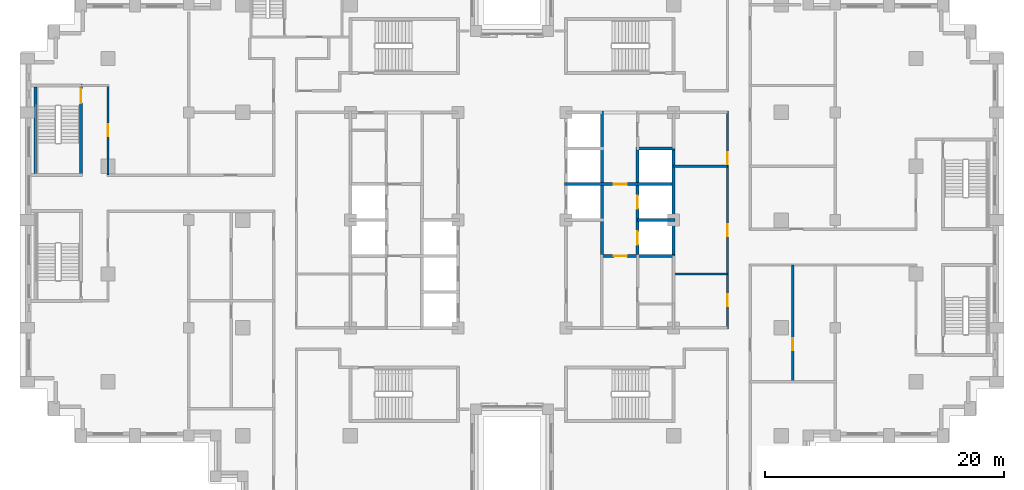
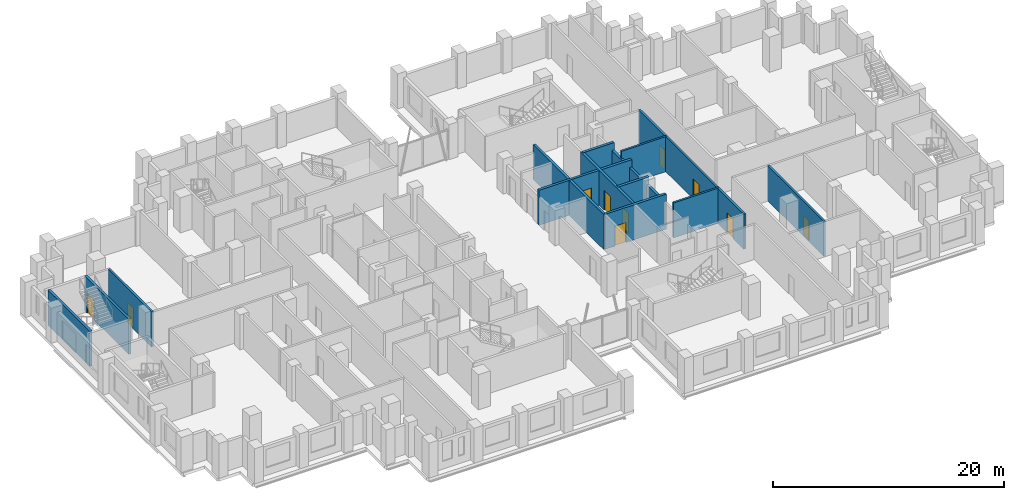
# One storey, part 9 of 16: 14 walls, 10 doors, 10 openings.
"""IFC4 building model written with IfcOpenShell, lengths in metres."""

import ifcopenshell
import ifcopenshell.guid

model = None  # the IFC model being written
_history = None  # IfcOwnerHistory: only IFC2X3 demands one
_inside = {}  # id of a spatial element -> (the spatial element, [elements in it])
_under = {}  # id of a project, library or spatial element -> (it, [spatial elements below it])
_declared = {}  # id of a project -> (the project, [libraries it declares])
_typed = {}  # id of a type object -> (the type object, [elements of that type])
_made_of = {}  # id of a material, layer set ... -> (it, [elements and type objects made of it])


def new_model(schema):
    """Start an empty IFC model of exactly this schema.

    Asked for "IFC4X3", IfcOpenShell would pick the latest addendum, in which some entities
    have other attributes; the version numbers below select the first issue.
    IFC2X3 requires an IfcOwnerHistory on every rooted entity: one is made here for all.
    """
    global model, _history
    if schema == "IFC4X3":
        model = ifcopenshell.file(schema_version=(4, 3, 0, 0))
    else:
        model = ifcopenshell.file(schema=schema)
    _inside.clear()
    _under.clear()
    _declared.clear()
    _typed.clear()
    _made_of.clear()
    _history = None
    if model.schema == "IFC2X3":
        org = make("IfcOrganization", Name="unknown")
        user = make(
            "IfcPersonAndOrganization",
            ThePerson=make("IfcPerson", FamilyName="unknown"),
            TheOrganization=org,
        )
        app = make(
            "IfcApplication",
            ApplicationDeveloper=org,
            Version="unknown",
            ApplicationFullName="unknown",
            ApplicationIdentifier="unknown",
        )
        _history = make(
            "IfcOwnerHistory",
            OwningUser=user,
            OwningApplication=app,
            ChangeAction="ADDED",
            CreationDate=0,
        )
    return model


def make(cls, **values):
    """One entity of the class cls with the attributes given. An attribute that is None is left unset."""
    return model.create_entity(
        cls, **{name: value for name, value in values.items() if value is not None}
    )


def rooted(cls, **values):
    """An entity with a GlobalId (a new one), such as an element, a storey or a relation."""
    return make(cls, GlobalId=ifcopenshell.guid.new(), OwnerHistory=_history, **values)


def si_unit(unit_type, name, prefix=None):
    """IfcSIUnit, for example si_unit("LENGTHUNIT", "METRE", prefix="MILLI")."""
    return make("IfcSIUnit", UnitType=unit_type, Prefix=prefix, Name=name)


def assignment(units):
    """IfcUnitAssignment: the units of a project."""
    return None if units is None else make("IfcUnitAssignment", Units=units)


def point(xyz):
    """IfcCartesianPoint."""
    return None if xyz is None else make("IfcCartesianPoint", Coordinates=xyz)


def direction(xyz):
    """IfcDirection."""
    return None if xyz is None else make("IfcDirection", DirectionRatios=xyz)


def frame(location, z_axis=None, x_axis=None):
    """IfcAxis2Placement3D, a coordinate frame: its origin and axes. An axis left out is left unset."""
    return make(
        "IfcAxis2Placement3D",
        Location=point(location),
        Axis=direction(z_axis),
        RefDirection=direction(x_axis),
    )


def frame_2d(location, x_axis=None):
    """IfcAxis2Placement2D, a coordinate frame in the plane: its origin and x axis."""
    return make(
        "IfcAxis2Placement2D", Location=point(location), RefDirection=direction(x_axis)
    )


def origin():
    """The frame at (0, 0, 0) with its axes left unset."""
    return frame((0.0, 0.0, 0.0))


def place(relative_to, where):
    """IfcLocalPlacement: puts the frame where relative to a parent placement (None: the world)."""
    return make(
        "IfcLocalPlacement", PlacementRelTo=relative_to, RelativePlacement=where
    )


def context(
    kind, dimensions, precision=None, world=None, true_north=None, identifier=None
):
    """IfcGeometricRepresentationContext, for example the 3D "Model" context."""
    return make(
        "IfcGeometricRepresentationContext",
        ContextIdentifier=identifier,
        ContextType=kind,
        CoordinateSpaceDimension=dimensions,
        Precision=precision,
        WorldCoordinateSystem=world,
        TrueNorth=true_north,
    )


def subcontext(parent, identifier, kind, view, scale=None):
    """IfcGeometricRepresentationSubContext, for example "Body" below "Model"."""
    return make(
        "IfcGeometricRepresentationSubContext",
        ContextIdentifier=identifier,
        ContextType=kind,
        ParentContext=parent,
        TargetScale=scale,
        TargetView=view,
    )


def project(units=None, contexts=None):
    """IfcProject with its units and contexts."""
    return rooted(
        "IfcProject",
        Name="project",
        RepresentationContexts=contexts,
        UnitsInContext=assignment(units),
    )


def spatial(cls, under=None, at=None, **own):
    """A site, building, storey or space (cls), placed at a placement, below another one or the project."""
    s = rooted(cls, ObjectPlacement=at, **own)
    if under is not None:
        _under.setdefault(under.id(), (under, []))[1].append(s)
    return s


def profile(cls, at=None, kind="AREA", **sizes):
    """A parametric profile (cls). Its sizes go by their IFC names, for example OverallWidth=200.0."""
    return make(cls, ProfileType=kind, Position=at, **sizes)


def rectangle(**sizes):
    """IfcRectangleProfileDef."""
    return profile("IfcRectangleProfileDef", **sizes)


def extrude(swept, where, along, depth):
    """IfcExtrudedAreaSolid: the profile swept, set in the frame where, extruded along a direction by depth."""
    return make(
        "IfcExtrudedAreaSolid",
        SweptArea=swept,
        Position=where,
        ExtrudedDirection=direction(along),
        Depth=depth,
    )


def shape(context_of_items, identifier, shape_type, items):
    """IfcShapeRepresentation: the items that make up one representation, for example the "Body"."""
    return make(
        "IfcShapeRepresentation",
        ContextOfItems=context_of_items,
        RepresentationIdentifier=identifier,
        RepresentationType=shape_type,
        Items=items,
    )


def material(Name=None, Category=None):
    """IfcMaterial."""
    return make("IfcMaterial", Name=Name, Category=Category)


def layer(
    of_material, thickness, ventilated=None, Name=None, Category=None, Priority=None
):
    """IfcMaterialLayer: one layer of a wall or slab, of a material (None: an air gap)."""
    return make(
        "IfcMaterialLayer",
        Material=of_material,
        LayerThickness=thickness,
        IsVentilated=ventilated,
        Name=Name,
        Category=Category,
        Priority=Priority,
    )


def layer_set(layers, Name=None):
    """IfcMaterialLayerSet."""
    return make("IfcMaterialLayerSet", MaterialLayers=layers, LayerSetName=Name)


def made_of(thing, what):
    """Note that an element or type object is made of a material, layer set ...; save() writes the relation."""
    if what is not None:
        _made_of.setdefault(what.id(), (what, []))[1].append(thing)
    return thing


def type_object(cls, material=None, **own):
    """A type object (cls), such as IfcWallType, which elements share."""
    return made_of(rooted(cls, **own), material)


def element(
    cls,
    number,
    at=None,
    inside=None,
    cuts=None,
    type_object=None,
    material=None,
    context=None,
    identifier="Body",
    shape_type=None,
    held_by="IfcProductDefinitionShape",
    body=None,
    shapes=None,
    **own,
):
    """One element of the class cls, such as IfcWall. Its Tag is "e" and its number.

    at: its placement. inside: the storey or other place that contains it. cuts: it is an
    opening in that element (IfcRelVoidsElement). A single representation is given by context,
    identifier, shape_type and body (its items); several are given by shapes. held_by: the class
    of the entity that holds the representations. save() writes the other relations.
    """
    e = rooted(cls, Tag="e%d" % number, ObjectPlacement=at, **own)
    if body is not None:
        shapes = [shape(context, identifier, shape_type, body)]
    if shapes is not None:
        e.Representation = make(held_by, Representations=shapes)
    if inside is not None:
        _inside.setdefault(inside.id(), (inside, []))[1].append(e)
    if cuts is not None:
        rooted(
            "IfcRelVoidsElement", RelatingBuildingElement=cuts, RelatedOpeningElement=e
        )
    if type_object is not None:
        _typed.setdefault(type_object.id(), (type_object, []))[1].append(e)
    return made_of(e, material)


def fill(opening, filler):
    """IfcRelFillsElement: the door or window that sits in an opening."""
    return rooted(
        "IfcRelFillsElement",
        RelatingOpeningElement=opening,
        RelatedBuildingElement=filler,
    )


def aggregate(whole, parts):
    """IfcRelAggregates: a whole, such as a stair, and the parts it consists of."""
    return rooted("IfcRelAggregates", RelatingObject=whole, RelatedObjects=parts)


def save(model, path):
    """Write the relations noted so far, then the file.

    IfcRelAggregates (storeys below a building ...), IfcRelContainedInSpatialStructure (elements
    in a storey), IfcRelDefinesByType, IfcRelAssociatesMaterial and IfcRelDeclares: one each for
    every whole, place, type object, material and project.
    """
    for whole, parts in _under.values():
        aggregate(whole, parts)
    for where, things in _inside.values():
        rooted(
            "IfcRelContainedInSpatialStructure",
            RelatedElements=things,
            RelatingStructure=where,
        )
    for kind, things in _typed.values():
        rooted("IfcRelDefinesByType", RelatedObjects=things, RelatingType=kind)
    for what, things in _made_of.values():
        rooted("IfcRelAssociatesMaterial", RelatedObjects=things, RelatingMaterial=what)
    for by, libraries in _declared.values():
        rooted("IfcRelDeclares", RelatingContext=by, RelatedDefinitions=libraries)
    model.write(path)


model = new_model("IFC4")

# Units and contexts
model_context = context("Model", 3, precision=1e-05, world=origin(), true_north=direction((0.0, 1.0)))
body_context = subcontext(model_context, "Body", "Model", "MODEL_VIEW")
ifc_project = project(units=[si_unit("LENGTHUNIT", "METRE"), si_unit("AREAUNIT", "SQUARE_METRE"), si_unit("VOLUMEUNIT", "CUBIC_METRE"), si_unit("PLANEANGLEUNIT", "RADIAN"), si_unit("MASSUNIT", "GRAM", prefix="KILO")], contexts=[model_context])

# Site, building, storey
site_placement = place(None, origin())
site = spatial("IfcSite", under=ifc_project, at=site_placement, CompositionType="ELEMENT")
building_placement = place(site_placement, origin())
building = spatial("IfcBuilding", under=site, at=building_placement, Name="Corbelhall Arena Tower", CompositionType="ELEMENT")
storey_placement = place(building_placement, frame((0.0, 0.0, 112.0)))
storey = spatial("IfcBuildingStorey", under=building, at=storey_placement, Name="L20", CompositionType="ELEMENT", Elevation=112.0)

# Wall, opening, door
ifc_material_1 = material(Name="Gypsum board on steel stud, acoustic", Category="steel")
ifc_layer_1 = layer(ifc_material_1, 0.199951171875)
ifc_layer_set_1 = layer_set([ifc_layer_1], Name="IN-W-DM200")
wall_type_1 = type_object("IfcWallType", Name="IN-W-DM200", PredefinedType="PARTITIONING", material=ifc_layer_set_1)
wall_1_placement = place(storey_placement, frame((-33.75, 11.25, 0.0), z_axis=(0.0, 0.0, 1.0), x_axis=(0.0, -1.0, 0.0)))
wall_1 = element("IfcWall", 1, at=wall_1_placement, inside=storey, type_object=wall_type_1, Name="Partition 005", PredefinedType="PARTITIONING", context=body_context, shape_type="SweptSolid", body=[
    extrude(rectangle(XDim=7.5, YDim=0.199951171875, at=frame_2d((3.75, 0.0))), origin(), (0.0, 0.0, 1.0), 3.699951171875),
])
opening_1_placement = place(wall_1_placement, frame((3.25, 0.0, 0.0)))
opening_1 = element("IfcOpeningElement", 2, at=opening_1_placement, cuts=wall_1, Name="Opening 05045", PredefinedType="OPENING", context=body_context, shape_type="SweptSolid", body=[
    extrude(rectangle(XDim=1.0, YDim=2.10009765625, at=frame_2d((0.5, 1.050048828125))), frame((0.0, 0.10009765625, 0.0), z_axis=(0.0, -1.0, 0.0), x_axis=(1.0, 0.0, 0.0)), (0.0, 0.0, 1.0), 0.199951171875),
])
ifc_material_2 = material(Name="Steel door set", Category="steel")
door_type_1 = type_object("IfcDoorType", Name="IN-D-SW100", OperationType="NOTDEFINED", PredefinedType="DOOR", material=ifc_material_2)
door_1_placement = place(opening_1_placement, origin())
door_1 = element("IfcDoor", 3, at=door_1_placement, inside=storey, type_object=door_type_1, Name="Door 045", OperationType="SINGLE_SWING_RIGHT", OverallHeight=2.10009765625, OverallWidth=1.0, PredefinedType="DOOR", context=body_context, shape_type="SweptSolid", body=[
    extrude(rectangle(XDim=1.0, YDim=2.10009765625, at=frame_2d((0.5, 1.050048828125))), frame((0.0, 0.02490234375, 0.0), z_axis=(0.0, -1.0, 0.0), x_axis=(1.0, 0.0, 0.0)), (0.0, 0.0, 1.0), 0.050048828125),
])
fill(opening_1, door_1)

# Walls
for number, where, z_axis, x_axis, name in (
    (4, (13.5, -4.5, 0.0), (0.0, 0.0, 1.0), (1.0, 0.0, 0.0), "Partition 038"),
    (5, (13.5, 4.5, 0.0), (0.0, 0.0, 1.0), (1.0, 0.0, 0.0), "Partition 039"),
):
    element("IfcWall", number, at=place(storey_placement, frame(where, z_axis=z_axis, x_axis=x_axis)), inside=storey, type_object=wall_type_1, Name=name, PredefinedType="PARTITIONING", context=body_context, shape_type="SweptSolid", body=[
        extrude(rectangle(XDim=4.5, YDim=0.199951171875, at=frame_2d((2.25, 0.0))), origin(), (0.0, 0.0, 1.0), 3.699951171875),
    ])

# Wall, openings, doors
wall_2_placement = place(storey_placement, frame((18.0, -9.10009765625, 0.0), z_axis=(0.0, 0.0, 1.0), x_axis=(0.0, 1.0, 0.0)))
wall_2 = element("IfcWall", 6, at=wall_2_placement, inside=storey, type_object=wall_type_1, Name="Partition 047", PredefinedType="PARTITIONING", context=body_context, shape_type="SweptSolid", body=[
    extrude(rectangle(XDim=18.2001953125, YDim=0.199951171875, at=frame_2d((9.10009765625, 0.0))), origin(), (0.0, 0.0, 1.0), 3.699951171875),
])
opening_2_placement = place(wall_2_placement, frame((1.89990234375, 0.0, 0.0)))
opening_2 = element("IfcOpeningElement", 7, at=opening_2_placement, cuts=wall_2, Name="Opening 05024", PredefinedType="OPENING", context=body_context, shape_type="SweptSolid", body=[
    extrude(rectangle(XDim=1.0, YDim=2.10009765625, at=frame_2d((0.5, 1.050048828125))), frame((0.0, 0.10009765625, 0.0), z_axis=(0.0, -1.0, 0.0), x_axis=(1.0, 0.0, 0.0)), (0.0, 0.0, 1.0), 0.199951171875),
])
opening_3_placement = place(wall_2_placement, frame((7.75, 0.0, 0.0)))
opening_3 = element("IfcOpeningElement", 8, at=opening_3_placement, cuts=wall_2, Name="Opening 05025", PredefinedType="OPENING", context=body_context, shape_type="SweptSolid", body=[
    extrude(rectangle(XDim=1.0, YDim=2.10009765625, at=frame_2d((0.5, 1.050048828125))), frame((0.0, 0.10009765625, 0.0), z_axis=(0.0, -1.0, 0.0), x_axis=(1.0, 0.0, 0.0)), (0.0, 0.0, 1.0), 0.199951171875),
])
opening_4_placement = place(wall_2_placement, frame((13.75, 0.0, 0.0)))
opening_4 = element("IfcOpeningElement", 9, at=opening_4_placement, cuts=wall_2, Name="Opening 05026", PredefinedType="OPENING", context=body_context, shape_type="SweptSolid", body=[
    extrude(rectangle(XDim=1.0, YDim=2.10009765625, at=frame_2d((0.5, 1.050048828125))), frame((0.0, 0.10009765625, 0.0), z_axis=(0.0, -1.0, 0.0), x_axis=(1.0, 0.0, 0.0)), (0.0, 0.0, 1.0), 0.199951171875),
])
door_2_placement = place(opening_2_placement, origin())
door_2 = element("IfcDoor", 10, at=door_2_placement, inside=storey, type_object=door_type_1, Name="Door 024", OperationType="SINGLE_SWING_LEFT", OverallHeight=2.10009765625, OverallWidth=1.0, PredefinedType="DOOR", context=body_context, shape_type="SweptSolid", body=[
    extrude(rectangle(XDim=1.0, YDim=2.10009765625, at=frame_2d((0.5, 1.050048828125))), frame((0.0, 0.02490234375, 0.0), z_axis=(0.0, -1.0, 0.0), x_axis=(1.0, 0.0, 0.0)), (0.0, 0.0, 1.0), 0.050048828125),
])
fill(opening_2, door_2)
door_3_placement = place(opening_3_placement, origin())
door_3 = element("IfcDoor", 11, at=door_3_placement, inside=storey, type_object=door_type_1, Name="Door 025", OperationType="SINGLE_SWING_RIGHT", OverallHeight=2.10009765625, OverallWidth=1.0, PredefinedType="DOOR", context=body_context, shape_type="SweptSolid", body=[
    extrude(rectangle(XDim=1.0, YDim=2.10009765625, at=frame_2d((0.5, 1.050048828125))), frame((0.0, 0.02490234375, 0.0), z_axis=(0.0, -1.0, 0.0), x_axis=(1.0, 0.0, 0.0)), (0.0, 0.0, 1.0), 0.050048828125),
])
fill(opening_3, door_3)
door_4_placement = place(opening_4_placement, origin())
door_4 = element("IfcDoor", 12, at=door_4_placement, inside=storey, type_object=door_type_1, Name="Door 026", OperationType="SINGLE_SWING_LEFT", OverallHeight=2.10009765625, OverallWidth=1.0, PredefinedType="DOOR", context=body_context, shape_type="SweptSolid", body=[
    extrude(rectangle(XDim=1.0, YDim=2.10009765625, at=frame_2d((0.5, 1.050048828125))), frame((0.0, 0.02490234375, 0.0), z_axis=(0.0, -1.0, 0.0), x_axis=(1.0, 0.0, 0.0)), (0.0, 0.0, 1.0), 0.050048828125),
])
fill(opening_4, door_4)

# Wall, opening, door
wall_3_placement = place(storey_placement, frame((23.449951171875, -3.75, 0.0), z_axis=(0.0, 0.0, 1.0), x_axis=(0.0, -1.0, 0.0)))
wall_3 = element("IfcWall", 13, at=wall_3_placement, inside=storey, type_object=wall_type_1, Name="Partition 056", PredefinedType="PARTITIONING", context=body_context, shape_type="SweptSolid", body=[
    extrude(rectangle(XDim=9.75, YDim=0.199951171875, at=frame_2d((4.875, 0.0))), origin(), (0.0, 0.0, 1.0), 3.699951171875),
])
opening_5_placement = place(wall_3_placement, frame((6.10009765625, 0.0, 0.0)))
opening_5 = element("IfcOpeningElement", 14, at=opening_5_placement, cuts=wall_3, Name="Opening 05044", PredefinedType="OPENING", context=body_context, shape_type="SweptSolid", body=[
    extrude(rectangle(XDim=1.0, YDim=2.10009765625, at=frame_2d((0.5, 1.050048828125))), frame((0.0, 0.10009765625, 0.0), z_axis=(0.0, -1.0, 0.0), x_axis=(1.0, 0.0, 0.0)), (0.0, 0.0, 1.0), 0.199951171875),
])
door_5_placement = place(opening_5_placement, origin())
door_5 = element("IfcDoor", 15, at=door_5_placement, inside=storey, type_object=door_type_1, Name="Door 044", OperationType="SINGLE_SWING_LEFT", OverallHeight=2.10009765625, OverallWidth=1.0, PredefinedType="DOOR", context=body_context, shape_type="SweptSolid", body=[
    extrude(rectangle(XDim=1.0, YDim=2.10009765625, at=frame_2d((0.5, 1.050048828125))), frame((0.0, 0.02490234375, 0.0), z_axis=(0.0, -1.0, 0.0), x_axis=(1.0, 0.0, 0.0)), (0.0, 0.0, 1.0), 0.050048828125),
])
fill(opening_5, door_5)

ifc_material_3 = material(Name="Concrete C40/50", Category="concrete")
ifc_layer_2 = layer(ifc_material_3, 0.25)
ifc_layer_set_2 = layer_set([ifc_layer_2], Name="IN-W-SH250")
wall_type_2 = type_object("IfcWallType", Name="IN-W-SH250", PredefinedType="SOLIDWALL", material=ifc_layer_set_2)
wall_4_placement = place(storey_placement, frame((4.375, 3.0, 0.0), z_axis=(0.0, 0.0, 1.0), x_axis=(1.0, 0.0, 0.0)))
wall_4 = element("IfcWall", 16, at=wall_4_placement, inside=storey, type_object=wall_type_2, Name="Shaft wall 091", PredefinedType="SOLIDWALL", context=body_context, shape_type="SweptSolid", body=[
    extrude(rectangle(XDim=9.25, YDim=0.25, at=frame_2d((4.625, 0.0))), origin(), (0.0, 0.0, 1.0), 3.699951171875),
])
opening_6_placement = place(wall_4_placement, frame((4.125, 0.0, 0.0)))
opening_6 = element("IfcOpeningElement", 17, at=opening_6_placement, cuts=wall_4, Name="Opening 05010", PredefinedType="OPENING", context=body_context, shape_type="SweptSolid", body=[
    extrude(rectangle(XDim=1.10009765625, YDim=2.10009765625, at=frame_2d((0.550048828125, 1.050048828125))), frame((0.0, 0.125, 0.0), z_axis=(0.0, -1.0, 0.0), x_axis=(1.0, 0.0, 0.0)), (0.0, 0.0, 1.0), 0.25),
])
door_type_2 = type_object("IfcDoorType", Name="IN-D-FD110", OperationType="NOTDEFINED", PredefinedType="DOOR", material=ifc_material_2)
door_6_placement = place(opening_6_placement, origin())
door_6 = element("IfcDoor", 18, at=door_6_placement, inside=storey, type_object=door_type_2, Name="Door 010", OperationType="SINGLE_SWING_LEFT", OverallHeight=2.10009765625, OverallWidth=1.10009765625, PredefinedType="DOOR", context=body_context, shape_type="SweptSolid", body=[
    extrude(rectangle(XDim=1.10009765625, YDim=2.10009765625, at=frame_2d((0.550048828125, 1.050048828125))), frame((0.0, 0.02490234375, 0.0), z_axis=(0.0, -1.0, 0.0), x_axis=(1.0, 0.0, 0.0)), (0.0, 0.0, 1.0), 0.050048828125),
])
fill(opening_6, door_6)

wall_5_placement = place(storey_placement, frame((7.5, -3.0, 0.0), z_axis=(0.0, 0.0, 1.0), x_axis=(1.0, 0.0, 0.0)))
wall_5 = element("IfcWall", 19, at=wall_5_placement, inside=storey, type_object=wall_type_2, Name="Shaft wall 095", PredefinedType="SOLIDWALL", context=body_context, shape_type="SweptSolid", body=[
    extrude(rectangle(XDim=6.125, YDim=0.25, at=frame_2d((3.0625, 0.0))), origin(), (0.0, 0.0, 1.0), 3.699951171875),
])
opening_7_placement = place(wall_5_placement, frame((1.0, 0.0, 0.0)))
opening_7 = element("IfcOpeningElement", 20, at=opening_7_placement, cuts=wall_5, Name="Opening 05009", PredefinedType="OPENING", context=body_context, shape_type="SweptSolid", body=[
    extrude(rectangle(XDim=1.10009765625, YDim=2.10009765625, at=frame_2d((0.550048828125, 1.050048828125))), frame((0.0, 0.125, 0.0), z_axis=(0.0, -1.0, 0.0), x_axis=(1.0, 0.0, 0.0)), (0.0, 0.0, 1.0), 0.25),
])
door_7_placement = place(opening_7_placement, origin())
door_7 = element("IfcDoor", 21, at=door_7_placement, inside=storey, type_object=door_type_2, Name="Door 009", OperationType="SINGLE_SWING_RIGHT", OverallHeight=2.10009765625, OverallWidth=1.10009765625, PredefinedType="DOOR", context=body_context, shape_type="SweptSolid", body=[
    extrude(rectangle(XDim=1.10009765625, YDim=2.10009765625, at=frame_2d((0.550048828125, 1.050048828125))), frame((0.0, 0.02490234375, 0.0), z_axis=(0.0, -1.0, 0.0), x_axis=(1.0, 0.0, 0.0)), (0.0, 0.0, 1.0), 0.050048828125),
])
fill(opening_7, door_7)

# Walls
wall_6_placement = place(storey_placement, frame((7.5, 9.125, 0.0), z_axis=(0.0, 0.0, 1.0), x_axis=(0.0, -1.0, 0.0)))
element("IfcWall", 22, at=wall_6_placement, inside=storey, type_object=wall_type_2, Name="Shaft wall 096", PredefinedType="SOLIDWALL", context=body_context, shape_type="SweptSolid", body=[
    extrude(rectangle(XDim=12.25, YDim=0.25, at=frame_2d((6.125, 0.0))), origin(), (0.0, 0.0, 1.0), 3.699951171875),
])
wall_7_placement = place(storey_placement, frame((10.5, 0.0, 0.0), z_axis=(0.0, 0.0, 1.0), x_axis=(1.0, 0.0, 0.0)))
element("IfcWall", 23, at=wall_7_placement, inside=storey, type_object=wall_type_2, Name="Shaft wall 097", PredefinedType="SOLIDWALL", context=body_context, shape_type="SweptSolid", body=[
    extrude(rectangle(XDim=3.125, YDim=0.25, at=frame_2d((1.5625, 0.0))), origin(), (0.0, 0.0, 1.0), 3.699951171875),
])

# Wall, openings, doors
wall_8_placement = place(storey_placement, frame((10.5, 6.125, 0.0), z_axis=(0.0, 0.0, 1.0), x_axis=(0.0, -1.0, 0.0)))
wall_8 = element("IfcWall", 24, at=wall_8_placement, inside=storey, type_object=wall_type_2, Name="Shaft wall 098", PredefinedType="SOLIDWALL", context=body_context, shape_type="SweptSolid", body=[
    extrude(rectangle(XDim=9.25, YDim=0.25, at=frame_2d((4.625, 0.0))), origin(), (0.0, 0.0, 1.0), 3.699951171875),
])
opening_8_placement = place(wall_8_placement, frame((7.074951171875, 0.0, 0.0)))
opening_8 = element("IfcOpeningElement", 25, at=opening_8_placement, cuts=wall_8, Name="Opening LD", PredefinedType="OPENING", context=body_context, shape_type="SweptSolid", body=[
    extrude(rectangle(XDim=1.10009765625, YDim=2.10009765625, at=frame_2d((0.550048828125, 1.050048828125))), frame((0.0, 0.125, 0.0), z_axis=(0.0, -1.0, 0.0), x_axis=(1.0, 0.0, 0.0)), (0.0, 0.0, 1.0), 0.25),
])
opening_9_placement = place(wall_8_placement, frame((4.074951171875, 0.0, 0.0)))
opening_9 = element("IfcOpeningElement", 26, at=opening_9_placement, cuts=wall_8, Name="Opening LD", PredefinedType="OPENING", context=body_context, shape_type="SweptSolid", body=[
    extrude(rectangle(XDim=1.10009765625, YDim=2.10009765625, at=frame_2d((0.550048828125, 1.050048828125))), frame((0.0, 0.125, 0.0), z_axis=(0.0, -1.0, 0.0), x_axis=(1.0, 0.0, 0.0)), (0.0, 0.0, 1.0), 0.25),
])
door_type_3 = type_object("IfcDoorType", Name="IN-D-LD110", OperationType="NOTDEFINED", PredefinedType="DOOR", material=ifc_material_2)
door_8_placement = place(opening_8_placement, origin())
door_8 = element("IfcDoor", 27, at=door_8_placement, inside=storey, type_object=door_type_3, Name="Landing door E3", OperationType="SLIDING_TO_LEFT", OverallHeight=2.10009765625, OverallWidth=1.10009765625, PredefinedType="DOOR", context=body_context, shape_type="SweptSolid", body=[
    extrude(rectangle(XDim=1.10009765625, YDim=2.10009765625, at=frame_2d((0.550048828125, 1.050048828125))), frame((0.0, 0.02490234375, 0.0), z_axis=(0.0, -1.0, 0.0), x_axis=(1.0, 0.0, 0.0)), (0.0, 0.0, 1.0), 0.050048828125),
])
fill(opening_8, door_8)
door_9_placement = place(opening_9_placement, origin())
door_9 = element("IfcDoor", 28, at=door_9_placement, inside=storey, type_object=door_type_3, Name="Landing door E4", OperationType="SLIDING_TO_LEFT", OverallHeight=2.10009765625, OverallWidth=1.10009765625, PredefinedType="DOOR", context=body_context, shape_type="SweptSolid", body=[
    extrude(rectangle(XDim=1.10009765625, YDim=2.10009765625, at=frame_2d((0.550048828125, 1.050048828125))), frame((0.0, 0.02490234375, 0.0), z_axis=(0.0, -1.0, 0.0), x_axis=(1.0, 0.0, 0.0)), (0.0, 0.0, 1.0), 0.050048828125),
])
fill(opening_9, door_9)

# Walls
wall_9_placement = place(storey_placement, frame((10.5, 6.0, 0.0), z_axis=(0.0, 0.0, 1.0), x_axis=(1.0, 0.0, 0.0)))
element("IfcWall", 29, at=wall_9_placement, inside=storey, type_object=wall_type_2, Name="Shaft wall 099", PredefinedType="SOLIDWALL", context=body_context, shape_type="SweptSolid", body=[
    extrude(rectangle(XDim=3.125, YDim=0.25, at=frame_2d((1.5625, 0.0))), origin(), (0.0, 0.0, 1.0), 3.699951171875),
])
ifc_layer_3 = layer(ifc_material_3, 0.25)
ifc_layer_set_3 = layer_set([ifc_layer_3], Name="IN-W-SH250 under beam 762 mm")
wall_type_3 = type_object("IfcWallType", Name="IN-W-SH250 under beam 762 mm", PredefinedType="SOLIDWALL", material=ifc_layer_set_3)
wall_10_placement = place(storey_placement, frame((13.5, 6.0, 0.0), z_axis=(0.0, 0.0, 1.0), x_axis=(0.0, -1.0, 0.0)))
element("IfcWall", 30, at=wall_10_placement, inside=storey, type_object=wall_type_3, Name="Shaft wall 100", PredefinedType="SOLIDWALL", context=body_context, shape_type="SweptSolid", body=[
    extrude(rectangle(XDim=9.0, YDim=0.25, at=frame_2d((4.5, 0.0))), origin(), (0.0, 0.0, 1.0), 2.93798828125),
])

# Wall, opening, door
ifc_layer_4 = layer(ifc_material_3, 0.25)
ifc_layer_set_4 = layer_set([ifc_layer_4], Name="IN-W-ST250")
wall_type_4 = type_object("IfcWallType", Name="IN-W-ST250", PredefinedType="SOLIDWALL", material=ifc_layer_set_4)
wall_11_placement = place(storey_placement, frame((-36.0, 11.375, 0.0), z_axis=(0.0, 0.0, 1.0), x_axis=(0.0, -1.0, 0.0)))
wall_11 = element("IfcWall", 31, at=wall_11_placement, inside=storey, type_object=wall_type_4, Name="Shaft wall 105", PredefinedType="SOLIDWALL", context=body_context, shape_type="SweptSolid", body=[
    extrude(rectangle(XDim=7.625, YDim=0.25, at=frame_2d((3.8125, 0.0))), origin(), (0.0, 0.0, 1.0), 3.699951171875),
])
opening_10_placement = place(wall_11_placement, frame((0.39990234375, 0.0, 0.0)))
opening_10 = element("IfcOpeningElement", 32, at=opening_10_placement, cuts=wall_11, Name="Opening 05018", PredefinedType="OPENING", context=body_context, shape_type="SweptSolid", body=[
    extrude(rectangle(XDim=1.199951171875, YDim=2.10009765625, at=frame_2d((0.60009765625, 1.050048828125))), frame((0.0, 0.125, 0.0), z_axis=(0.0, -1.0, 0.0), x_axis=(1.0, 0.0, 0.0)), (0.0, 0.0, 1.0), 0.25),
])
door_type_4 = type_object("IfcDoorType", Name="IN-D-ST120", OperationType="NOTDEFINED", PredefinedType="DOOR", material=ifc_material_2)
door_10_placement = place(opening_10_placement, origin())
door_10 = element("IfcDoor", 33, at=door_10_placement, inside=storey, type_object=door_type_4, Name="Door 018", OperationType="SINGLE_SWING_LEFT", OverallHeight=2.10009765625, OverallWidth=1.199951171875, PredefinedType="DOOR", context=body_context, shape_type="SweptSolid", body=[
    extrude(rectangle(XDim=1.199951171875, YDim=2.10009765625, at=frame_2d((0.60009765625, 1.050048828125))), frame((0.0, 0.02490234375, 0.0), z_axis=(0.0, -1.0, 0.0), x_axis=(1.0, 0.0, 0.0)), (0.0, 0.0, 1.0), 0.050048828125),
])
fill(opening_10, door_10)

# Wall
wall_12_placement = place(storey_placement, frame((-39.824951171875, 3.875, 0.0), z_axis=(0.0, 0.0, 1.0), x_axis=(0.0, 1.0, 0.0)))
element("IfcWall", 34, at=wall_12_placement, inside=storey, type_object=wall_type_4, Name="Shaft wall SC1 facade side", PredefinedType="SOLIDWALL", context=body_context, shape_type="SweptSolid", body=[
    extrude(rectangle(XDim=7.25, YDim=0.25, at=frame_2d((3.625, 0.0))), origin(), (0.0, 0.0, 1.0), 3.699951171875),
])

save(model, "model.ifc")
